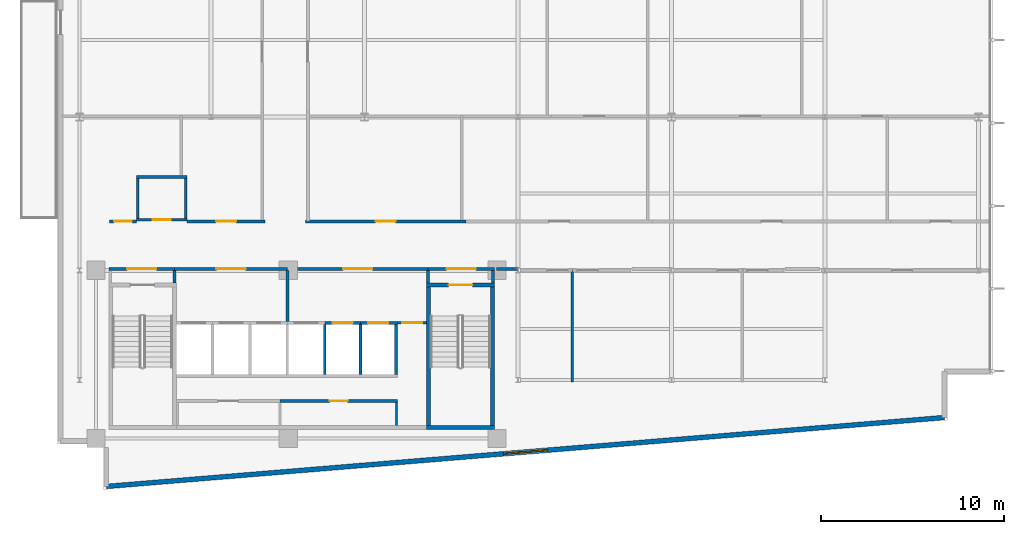
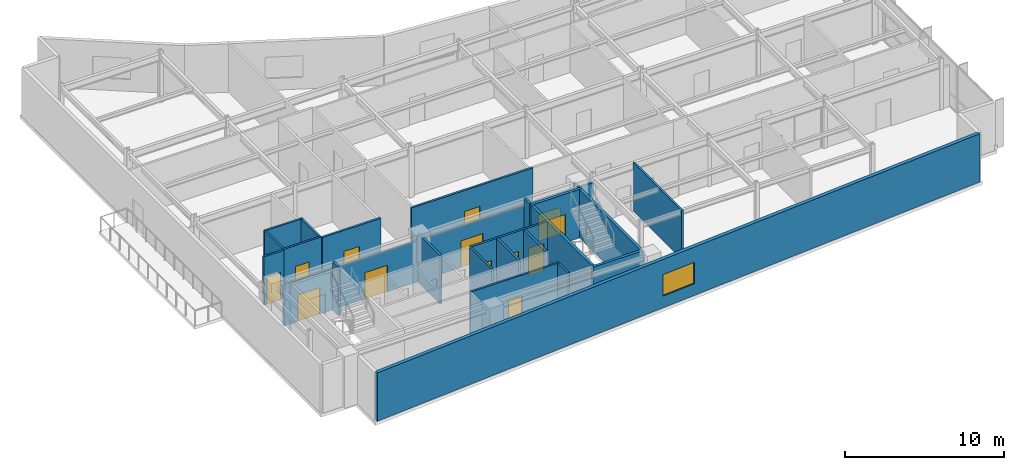
# One storey, part 10 of 15: 30 walls, 13 doors, 1 window, 14 openings.
"""IFC4 building model written with IfcOpenShell, lengths in metres."""

from ifc_helpers import new_model, si_unit, direction, frame, frame_2d, origin, place, context, subcontext, project, spatial, rectangle, extrude, material, layer, layer_set, type_object, element, fill, save


model = new_model("IFC4")

# Units and contexts
model_context = context("Model", 3, precision=1e-05, world=origin(), true_north=direction((0.0, 1.0)))
body_context = subcontext(model_context, "Body", "Model", "MODEL_VIEW")
ifc_project = project(units=[si_unit("LENGTHUNIT", "METRE"), si_unit("AREAUNIT", "SQUARE_METRE"), si_unit("VOLUMEUNIT", "CUBIC_METRE"), si_unit("PLANEANGLEUNIT", "RADIAN"), si_unit("MASSUNIT", "GRAM", prefix="KILO")], contexts=[model_context])

# Site, building, storey
site_placement = place(None, origin())
site = spatial("IfcSite", under=ifc_project, at=site_placement, CompositionType="ELEMENT")
building_placement = place(site_placement, origin())
building = spatial("IfcBuilding", under=site, at=building_placement, Name="Varnakote Quay Hospital", CompositionType="ELEMENT")
storey_placement = place(building_placement, frame((0.0, 0.0, 207.89990234375)))
storey = spatial("IfcBuildingStorey", under=building, at=storey_placement, Name="L51", CompositionType="ELEMENT", Elevation=207.89990234375)

# Wall, opening, door
ifc_material_1 = material(Name="Fire-rated acoustic gypsum stud wall", Category="gypsum")
ifc_layer_1 = layer(ifc_material_1, 0.159912109375)
ifc_layer_set_1 = layer_set([ifc_layer_1], Name="Fire-rated acoustic gypsum stud wall")
wall_type_1 = type_object("IfcWallType", Name="WL-COMP-160", PredefinedType="PARTITIONING", material=ifc_layer_set_1)
wall_1_placement = place(storey_placement, frame((2.800048828125, 12.080078125, 0.0), z_axis=(0.0, 0.0, 1.0), x_axis=(1.0, 0.0, 0.0)))
wall_1 = element("IfcWall", 1, at=wall_1_placement, inside=storey, type_object=wall_type_1, Name="L51 West Stair Vestibule Smoke Wall", PredefinedType="PARTITIONING", context=body_context, shape_type="SweptSolid", body=[
    extrude(rectangle(XDim=3.599853515625, YDim=0.159912109375, at=frame_2d((1.7998046875, 0.0))), origin(), (0.0, 0.0, 1.0), 3.152099609375),
])
opening_1_placement = place(wall_1_placement, frame((1.0, 0.0, 0.0)))
opening_1 = element("IfcOpeningElement", 2, at=opening_1_placement, cuts=wall_1, Name="Opening D-ST1L-L51", PredefinedType="OPENING", context=body_context, shape_type="SweptSolid", body=[
    extrude(rectangle(XDim=1.60009765625, YDim=2.050048828125, at=frame_2d((0.800048828125, 1.02490234375))), frame((0.0, 0.08984375, 0.0), z_axis=(0.0, -1.0, 0.0), x_axis=(1.0, 0.0, 0.0)), (0.0, 0.0, 1.0), 0.179931640625),
])
ifc_material_2 = material(Name="Fire-rated double smoke lobby door")
door_type_1 = type_object("IfcDoorType", Name="DR-LOBBY-FD60S-1600x2150", OperationType="NOTDEFINED", PredefinedType="DOOR", material=ifc_material_2)
door_1_placement = place(opening_1_placement, origin())
door_1 = element("IfcDoor", 3, at=door_1_placement, inside=storey, type_object=door_type_1, Name="L51 West Stair Vestibule Smoke Door", OperationType="DOUBLE_DOOR_SINGLE_SWING", OverallHeight=2.050048828125, OverallWidth=1.60009765625, PredefinedType="DOOR", context=body_context, shape_type="SweptSolid", body=[
    extrude(rectangle(XDim=1.60009765625, YDim=2.050048828125, at=frame_2d((0.800048828125, 1.02490234375))), frame((0.0, 0.02490234375, 0.0), z_axis=(0.0, -1.0, 0.0), x_axis=(1.0, 0.0, 0.0)), (0.0, 0.0, 1.0), 0.050048828125),
])
fill(opening_1, door_1)

# Wall
wall_2_placement = place(storey_placement, frame((6.39990234375, 11.300048828125, 0.0), z_axis=(0.0, 0.0, 1.0), x_axis=(0.0, 1.0, 0.0)))
element("IfcWall", 4, at=wall_2_placement, inside=storey, type_object=wall_type_1, Name="L51 Firefighting Lobby West Wall", PredefinedType="PARTITIONING", context=body_context, shape_type="SweptSolid", body=[
    extrude(rectangle(XDim=0.699951171875, YDim=0.159912109375, at=frame_2d((0.35009765625, 0.0))), origin(), (0.0, 0.0, 1.0), 3.710205078125),
])

# Wall, opening, door
wall_3_placement = place(storey_placement, frame((6.39990234375, 12.080078125, 0.0), z_axis=(0.0, 0.0, 1.0), x_axis=(1.0, 0.0, 0.0)))
wall_3 = element("IfcWall", 5, at=wall_3_placement, inside=storey, type_object=wall_type_1, Name="L51 Firefighting Lift Lobby Compartment Wall", PredefinedType="PARTITIONING", context=body_context, shape_type="SweptSolid", body=[
    extrude(rectangle(XDim=6.18017578125, YDim=0.159912109375, at=frame_2d((3.090087890625, 0.0))), origin(), (0.0, 0.0, 1.0), 3.152099609375),
])
opening_2_placement = place(wall_3_placement, frame((2.2900390625, 0.0, 0.0)))
opening_2 = element("IfcOpeningElement", 6, at=opening_2_placement, cuts=wall_3, Name="Opening D-FFL-L51", PredefinedType="OPENING", context=body_context, shape_type="SweptSolid", body=[
    extrude(rectangle(XDim=1.60009765625, YDim=2.050048828125, at=frame_2d((0.800048828125, 1.02490234375))), frame((0.0, 0.08984375, 0.0), z_axis=(0.0, -1.0, 0.0), x_axis=(1.0, 0.0, 0.0)), (0.0, 0.0, 1.0), 0.179931640625),
])
door_2_placement = place(opening_2_placement, origin())
door_2 = element("IfcDoor", 7, at=door_2_placement, inside=storey, type_object=door_type_1, Name="L51 Firefighting Smoke Vestibule Door", OperationType="DOUBLE_DOOR_SINGLE_SWING", OverallHeight=2.050048828125, OverallWidth=1.60009765625, PredefinedType="DOOR", context=body_context, shape_type="SweptSolid", body=[
    extrude(rectangle(XDim=1.60009765625, YDim=2.050048828125, at=frame_2d((0.800048828125, 1.02490234375))), frame((0.0, 0.02490234375, 0.0), z_axis=(0.0, -1.0, 0.0), x_axis=(1.0, 0.0, 0.0)), (0.0, 0.0, 1.0), 0.050048828125),
])
fill(opening_2, door_2)

# Wall
wall_4_placement = place(storey_placement, frame((12.580078125, 9.2099609375, 0.0), z_axis=(0.0, 0.0, 1.0), x_axis=(0.0, 1.0, 0.0)))
element("IfcWall", 8, at=wall_4_placement, inside=storey, type_object=wall_type_1, Name="L51 Firefighting to Service Lobby Wall", PredefinedType="PARTITIONING", context=body_context, shape_type="SweptSolid", body=[
    extrude(rectangle(XDim=2.7900390625, YDim=0.159912109375, at=frame_2d((1.39501953125, 0.0))), origin(), (0.0, 0.0, 1.0), 3.710205078125),
])

# Wall, opening, door
wall_5_placement = place(storey_placement, frame((12.580078125, 12.080078125, 0.0), z_axis=(0.0, 0.0, 1.0), x_axis=(1.0, 0.0, 0.0)))
wall_5 = element("IfcWall", 9, at=wall_5_placement, inside=storey, type_object=wall_type_1, Name="L51 Clinical Bed Lift Lobby Wall", PredefinedType="PARTITIONING", context=body_context, shape_type="SweptSolid", body=[
    extrude(rectangle(XDim=7.699951171875, YDim=0.159912109375, at=frame_2d((3.85009765625, 0.0))), origin(), (0.0, 0.0, 1.0), 3.152099609375),
])
opening_3_placement = place(wall_5_placement, frame((3.050048828125, 0.0, 0.0)))
opening_3 = element("IfcOpeningElement", 10, at=opening_3_placement, cuts=wall_5, Name="Opening D-SVL-L51", PredefinedType="OPENING", context=body_context, shape_type="SweptSolid", body=[
    extrude(rectangle(XDim=1.60009765625, YDim=2.050048828125, at=frame_2d((0.800048828125, 1.02490234375))), frame((0.0, 0.08984375, 0.0), z_axis=(0.0, -1.0, 0.0), x_axis=(1.0, 0.0, 0.0)), (0.0, 0.0, 1.0), 0.179931640625),
])
door_3_placement = place(opening_3_placement, origin())
door_3 = element("IfcDoor", 11, at=door_3_placement, inside=storey, type_object=door_type_1, Name="L51 Clinical Core Smoke Vestibule Door", OperationType="DOUBLE_DOOR_SINGLE_SWING", OverallHeight=2.050048828125, OverallWidth=1.60009765625, PredefinedType="DOOR", context=body_context, shape_type="SweptSolid", body=[
    extrude(rectangle(XDim=1.60009765625, YDim=2.050048828125, at=frame_2d((0.800048828125, 1.02490234375))), frame((0.0, 0.02490234375, 0.0), z_axis=(0.0, -1.0, 0.0), x_axis=(1.0, 0.0, 0.0)), (0.0, 0.0, 1.0), 0.050048828125),
])
fill(opening_3, door_3)

# Wall
wall_6_placement = place(storey_placement, frame((20.280029296875, 11.300048828125, 0.0), z_axis=(0.0, 0.0, 1.0), x_axis=(0.0, 1.0, 0.0)))
element("IfcWall", 12, at=wall_6_placement, inside=storey, type_object=wall_type_1, Name="L51 East Stair Vestibule Divider Wall", PredefinedType="PARTITIONING", context=body_context, shape_type="SweptSolid", body=[
    extrude(rectangle(XDim=0.699951171875, YDim=0.159912109375, at=frame_2d((0.35009765625, 0.0))), origin(), (0.0, 0.0, 1.0), 3.710205078125),
])

# Wall, opening, door
wall_7_placement = place(storey_placement, frame((20.280029296875, 12.080078125, 0.0), z_axis=(0.0, 0.0, 1.0), x_axis=(1.0, 0.0, 0.0)))
wall_7 = element("IfcWall", 13, at=wall_7_placement, inside=storey, type_object=wall_type_1, Name="L51 East Stair Vestibule Smoke Wall", PredefinedType="PARTITIONING", context=body_context, shape_type="SweptSolid", body=[
    extrude(rectangle(XDim=3.619873046875, YDim=0.159912109375, at=frame_2d((1.81005859375, 0.0))), origin(), (0.0, 0.0, 1.0), 3.152099609375),
])
opening_4_placement = place(wall_7_placement, frame((1.010009765625, 0.0, 0.0)))
opening_4 = element("IfcOpeningElement", 14, at=opening_4_placement, cuts=wall_7, Name="Opening D-ST2L-L51", PredefinedType="OPENING", context=body_context, shape_type="SweptSolid", body=[
    extrude(rectangle(XDim=1.60009765625, YDim=2.050048828125, at=frame_2d((0.800048828125, 1.02490234375))), frame((0.0, 0.08984375, 0.0), z_axis=(0.0, -1.0, 0.0), x_axis=(1.0, 0.0, 0.0)), (0.0, 0.0, 1.0), 0.179931640625),
])
door_4_placement = place(opening_4_placement, origin())
door_4 = element("IfcDoor", 15, at=door_4_placement, inside=storey, type_object=door_type_1, Name="L51 East Stair Vestibule Smoke Door", OperationType="DOUBLE_DOOR_SINGLE_SWING", OverallHeight=2.050048828125, OverallWidth=1.60009765625, PredefinedType="DOOR", context=body_context, shape_type="SweptSolid", body=[
    extrude(rectangle(XDim=1.60009765625, YDim=2.050048828125, at=frame_2d((0.800048828125, 1.02490234375))), frame((0.0, 0.02490234375, 0.0), z_axis=(0.0, -1.0, 0.0), x_axis=(1.0, 0.0, 0.0)), (0.0, 0.0, 1.0), 0.050048828125),
])
fill(opening_4, door_4)

# Walls
wall_8_placement = place(storey_placement, frame((23.820068359375, 11.300048828125, 0.0), z_axis=(0.0, 0.0, 1.0), x_axis=(0.0, 1.0, 0.0)))
element("IfcWall", 16, at=wall_8_placement, inside=storey, type_object=wall_type_1, Name="L51 East Stair Vestibule East Wall", PredefinedType="PARTITIONING", context=body_context, shape_type="SweptSolid", body=[
    extrude(rectangle(XDim=0.699951171875, YDim=0.159912109375, at=frame_2d((0.35009765625, 0.0))), origin(), (0.0, 0.0, 1.0), 3.710205078125),
])
wall_9_placement = place(storey_placement, frame((24.02001953125, 12.080078125, 0.0), z_axis=(0.0, 0.0, 1.0), x_axis=(1.0, 0.0, 0.0)))
element("IfcWall", 17, at=wall_9_placement, inside=storey, type_object=wall_type_1, Name="L51 Corridor South Gap Wall", PredefinedType="PARTITIONING", context=body_context, shape_type="SweptSolid", body=[
    extrude(rectangle(XDim=1.21875, YDim=0.159912109375, at=frame_2d((0.609375, 0.0))), origin(), (0.0, 0.0, 1.0), 3.152099609375),
])

# Wall, opening, window
ifc_material_3 = material(Name="Precast concrete N50 (f'c 50 MPa)", Category="concrete")
ifc_layer_2 = layer(ifc_material_3, 0.260009765625)
ifc_layer_set_2 = layer_set([ifc_layer_2], Name="Precast concrete N50 (f'c 50 MPa)")
wall_type_2 = type_object("IfcWallType", Name="WL-EXT-BRICK-260", PredefinedType="STANDARD", material=ifc_layer_set_2)
wall_10_placement = place(storey_placement, frame((2.659912109375, 0.173583984375, 0.0), z_axis=(0.0, 0.0, 1.0), x_axis=(0.996634028439, 0.081979347142, 0.0)))
wall_10 = element("IfcWall", 18, at=wall_10_placement, inside=storey, type_object=wall_type_2, Name="L51 Brick-Faced Precast Exterior Wall", PredefinedType="STANDARD", context=body_context, shape_type="SweptSolid", body=[
    extrude(rectangle(XDim=46.03515625, YDim=0.260009765625, at=frame_2d((23.017578125, 0.0))), origin(), (0.0, 0.0, 1.0), 3.710205078125),
])
opening_5_placement = place(wall_10_placement, frame((21.8173828125, 0.0, 0.89990234375)))
opening_5 = element("IfcOpeningElement", 19, at=opening_5_placement, cuts=wall_10, Name="Opening WN-0210", PredefinedType="OPENING", context=body_context, shape_type="SweptSolid", body=[
    extrude(rectangle(XDim=2.39990234375, YDim=1.64990234375, at=frame_2d((1.199951171875, 0.824951171875))), frame((0.0, 0.139892578125, 0.0), z_axis=(0.0, -1.0, 0.0), x_axis=(1.0, 0.0, 0.0)), (0.0, 0.0, 1.0), 0.280029296875),
])
ifc_material_4 = material(Name="Double-glazed low-E solar glass", Category="glass")
window_type = type_object("IfcWindowType", Name="WIN-CLIN-2400x1650", PartitioningType="SINGLE_PANEL", PredefinedType="WINDOW", material=ifc_material_4)
window_placement = place(opening_5_placement, origin())
window = element("IfcWindow", 20, at=window_placement, inside=storey, type_object=window_type, Name="L51 Solar-Control Clinical Window", OverallHeight=1.64990234375, OverallWidth=2.39990234375, PartitioningType="SINGLE_PANEL", PredefinedType="WINDOW", context=body_context, shape_type="SweptSolid", body=[
    extrude(rectangle(XDim=2.39990234375, YDim=1.64990234375, at=frame_2d((1.199951171875, 0.824951171875))), frame((0.0, 0.030029296875, 0.0), z_axis=(0.0, -1.0, 0.0), x_axis=(1.0, 0.0, 0.0)), (0.0, 0.0, 1.0), 0.06005859375),
])
fill(opening_5, window)

# Walls
ifc_material_5 = material(Name="Concrete N50 (f'c 50 MPa)", Category="concrete")
ifc_layer_3 = layer(ifc_material_5, 0.14990234375)
ifc_layer_set_3 = layer_set([ifc_layer_3], Name="Concrete N50 (f'c 50 MPa)")
wall_type_3 = type_object("IfcWallType", Name="WL-SHAFT-N50-150", PredefinedType="SHEAR", material=ifc_layer_set_3)
for number, where, z_axis, x_axis, name in (
    (21, (14.625, 6.300048828125, 0.0), (0.0, 0.0, 1.0), (0.0, 1.0, 0.0), "L51 LF-SV2 Hoistway Divider Wall"),
    (22, (16.574951171875, 6.300048828125, 0.0), (0.0, 0.0, 1.0), (0.0, 1.0, 0.0), "L51 LF-PH1 Hoistway Divider Wall"),
):
    element("IfcWall", number, at=place(storey_placement, frame(where, z_axis=z_axis, x_axis=x_axis)), inside=storey, type_object=wall_type_3, Name=name, PredefinedType="SHEAR", context=body_context, shape_type="SweptSolid", body=[
        extrude(rectangle(XDim=2.75, YDim=0.14990234375, at=frame_2d((1.375, 0.0))), origin(), (0.0, 0.0, 1.0), 3.710205078125),
    ])
ifc_material_6 = material(Name="Concrete N50 (f'c 50 MPa)", Category="concrete")
ifc_layer_4 = layer(ifc_material_6, 0.159912109375)
ifc_layer_set_4 = layer_set([ifc_layer_4], Name="Concrete N50 (f'c 50 MPa)")
wall_type_4 = type_object("IfcWallType", Name="WL-SHAFT-N50-160", PredefinedType="SHEAR", material=ifc_layer_set_4)
wall_11_placement = place(storey_placement, frame((18.530029296875, 6.300048828125, 0.0), z_axis=(0.0, 0.0, 1.0), x_axis=(0.0, 1.0, 0.0)))
element("IfcWall", 23, at=wall_11_placement, inside=storey, type_object=wall_type_4, Name="L51 REAR Lift Bank East Shear Wall", PredefinedType="SHEAR", context=body_context, shape_type="SweptSolid", body=[
    extrude(rectangle(XDim=2.75, YDim=0.159912109375, at=frame_2d((1.375, 0.0))), origin(), (0.0, 0.0, 1.0), 3.710205078125),
])

# Wall, opening, door
wall_12_placement = place(storey_placement, frame((14.625, 9.1298828125, 0.0), z_axis=(0.0, 0.0, 1.0), x_axis=(1.0, 0.0, 0.0)))
wall_12 = element("IfcWall", 24, at=wall_12_placement, inside=storey, type_object=wall_type_4, Name="L51 LF-PH1 Hoistway Front Wall", PredefinedType="SHEAR", context=body_context, shape_type="SweptSolid", body=[
    extrude(rectangle(XDim=1.949951171875, YDim=0.159912109375, at=frame_2d((0.97509765625, 0.0))), origin(), (0.0, 0.0, 1.0), 3.710205078125),
])
opening_6_placement = place(wall_12_placement, frame((0.425048828125, 0.0, 0.0)))
opening_6 = element("IfcOpeningElement", 25, at=opening_6_placement, cuts=wall_12, Name="Opening LD-PH1-L51", PredefinedType="OPENING", context=body_context, shape_type="SweptSolid", body=[
    extrude(rectangle(XDim=1.10009765625, YDim=2.14990234375, at=frame_2d((0.550048828125, 1.074951171875))), frame((0.0, 0.08984375, 0.0), z_axis=(0.0, -1.0, 0.0), x_axis=(1.0, 0.0, 0.0)), (0.0, 0.0, 1.0), 0.179931640625),
])
ifc_material_7 = material(Name="Brushed bronze lift landing sliding door")
door_type_2 = type_object("IfcDoorType", Name="DR-LIFT-LD-1100x2150", OperationType="NOTDEFINED", PredefinedType="DOOR", material=ifc_material_7)
door_5_placement = place(opening_6_placement, origin())
door_5 = element("IfcDoor", 26, at=door_5_placement, inside=storey, type_object=door_type_2, Name="L51 LF-PH1 Lift Landing Sliding Door", OperationType="SLIDING_TO_LEFT", OverallHeight=2.14990234375, OverallWidth=1.10009765625, PredefinedType="DOOR", context=body_context, shape_type="SweptSolid", body=[
    extrude(rectangle(XDim=1.10009765625, YDim=2.14990234375, at=frame_2d((0.550048828125, 1.074951171875))), frame((0.0, 0.02490234375, 0.0), z_axis=(0.0, -1.0, 0.0), x_axis=(1.0, 0.0, 0.0)), (0.0, 0.0, 1.0), 0.050048828125),
])
fill(opening_6, door_5)

wall_13_placement = place(storey_placement, frame((16.574951171875, 9.1298828125, 0.0), z_axis=(0.0, 0.0, 1.0), x_axis=(1.0, 0.0, 0.0)))
wall_13 = element("IfcWall", 27, at=wall_13_placement, inside=storey, type_object=wall_type_4, Name="L51 LF-PH2 Hoistway Front Wall", PredefinedType="SHEAR", context=body_context, shape_type="SweptSolid", body=[
    extrude(rectangle(XDim=2.03515625, YDim=0.159912109375, at=frame_2d((1.017578125, 0.0))), origin(), (0.0, 0.0, 1.0), 3.710205078125),
])
opening_7_placement = place(wall_13_placement, frame((0.425048828125, 0.0, 0.0)))
opening_7 = element("IfcOpeningElement", 28, at=opening_7_placement, cuts=wall_13, Name="Opening LD-PH2-L51", PredefinedType="OPENING", context=body_context, shape_type="SweptSolid", body=[
    extrude(rectangle(XDim=1.10009765625, YDim=2.14990234375, at=frame_2d((0.550048828125, 1.074951171875))), frame((0.0, 0.08984375, 0.0), z_axis=(0.0, -1.0, 0.0), x_axis=(1.0, 0.0, 0.0)), (0.0, 0.0, 1.0), 0.179931640625),
])
door_6_placement = place(opening_7_placement, origin())
door_6 = element("IfcDoor", 29, at=door_6_placement, inside=storey, type_object=door_type_2, Name="L51 LF-PH2 Lift Landing Sliding Door", OperationType="SLIDING_TO_LEFT", OverallHeight=2.14990234375, OverallWidth=1.10009765625, PredefinedType="DOOR", context=body_context, shape_type="SweptSolid", body=[
    extrude(rectangle(XDim=1.10009765625, YDim=2.14990234375, at=frame_2d((0.550048828125, 1.074951171875))), frame((0.0, 0.02490234375, 0.0), z_axis=(0.0, -1.0, 0.0), x_axis=(1.0, 0.0, 0.0)), (0.0, 0.0, 1.0), 0.050048828125),
])
fill(opening_7, door_6)

# Walls
ifc_material_8 = material(Name="Concrete N50 (f'c 50 MPa)", Category="concrete")
ifc_layer_5 = layer(ifc_material_8, 0.199951171875)
ifc_layer_set_5 = layer_set([ifc_layer_5], Name="Concrete N50 (f'c 50 MPa)")
wall_type_5 = type_object("IfcWallType", Name="WL-SHAFT-N50-200", PredefinedType="SHEAR", material=ifc_layer_set_5)
wall_14_placement = place(storey_placement, frame((20.199951171875, 3.39990234375, 0.0), z_axis=(0.0, 0.0, 1.0), x_axis=(1.0, 0.0, 0.0)))
element("IfcWall", 30, at=wall_14_placement, inside=storey, type_object=wall_type_5, Name="L51 Stair ST2 South Shaft Wall", PredefinedType="SHEAR", context=body_context, shape_type="SweptSolid", body=[
    extrude(rectangle(XDim=3.699951171875, YDim=0.199951171875, at=frame_2d((1.85009765625, 0.0))), origin(), (0.0, 0.0, 1.0), 3.710205078125),
])
for number, where, z_axis, x_axis, name in (
    (31, (20.300048828125, 3.5, 0.0), (0.0, 0.0, 1.0), (0.0, 1.0, 0.0), "L51 Stair ST2 West Shaft Wall"),
    (32, (23.800048828125, 3.5, 0.0), (0.0, 0.0, 1.0), (0.0, 1.0, 0.0), "L51 Stair ST2 East Shaft Wall"),
):
    element("IfcWall", number, at=place(storey_placement, frame(where, z_axis=z_axis, x_axis=x_axis)), inside=storey, type_object=wall_type_5, Name=name, PredefinedType="SHEAR", context=body_context, shape_type="SweptSolid", body=[
        extrude(rectangle(XDim=7.60009765625, YDim=0.199951171875, at=frame_2d((3.800048828125, 0.0))), origin(), (0.0, 0.0, 1.0), 3.710205078125),
    ])

# Wall, opening, door
wall_15_placement = place(storey_placement, frame((20.199951171875, 11.199951171875, 0.0), z_axis=(0.0, 0.0, 1.0), x_axis=(1.0, 0.0, 0.0)))
wall_15 = element("IfcWall", 33, at=wall_15_placement, inside=storey, type_object=wall_type_5, Name="L51 Stair ST2 Exit Wall", PredefinedType="SHEAR", context=body_context, shape_type="SweptSolid", body=[
    extrude(rectangle(XDim=3.699951171875, YDim=0.199951171875, at=frame_2d((1.85009765625, 0.0))), origin(), (0.0, 0.0, 1.0), 3.710205078125),
])
opening_8_placement = place(wall_15_placement, frame((1.199951171875, 0.0, 0.0)))
opening_8 = element("IfcOpeningElement", 34, at=opening_8_placement, cuts=wall_15, Name="Opening D-ST2-L51", PredefinedType="OPENING", context=body_context, shape_type="SweptSolid", body=[
    extrude(rectangle(XDim=1.300048828125, YDim=2.14990234375, at=frame_2d((0.64990234375, 1.074951171875))), frame((0.0, 0.10986328125, 0.0), z_axis=(0.0, -1.0, 0.0), x_axis=(1.0, 0.0, 0.0)), (0.0, 0.0, 1.0), 0.219970703125),
])
ifc_material_9 = material(Name="Fire-rated ceramic-glazed timber exit door", Category="wood")
door_type_3 = type_object("IfcDoorType", Name="DR-STAIR-FD60S-1300x2150", OperationType="NOTDEFINED", PredefinedType="DOOR", material=ifc_material_9)
door_7_placement = place(opening_8_placement, origin())
door_7 = element("IfcDoor", 35, at=door_7_placement, inside=storey, type_object=door_type_3, Name="L51 Stair ST2 Fire Exit Door", OperationType="SINGLE_SWING_LEFT", OverallHeight=2.14990234375, OverallWidth=1.300048828125, PredefinedType="DOOR", context=body_context, shape_type="SweptSolid", body=[
    extrude(rectangle(XDim=1.300048828125, YDim=2.14990234375, at=frame_2d((0.64990234375, 1.074951171875))), frame((0.0, 0.02490234375, 0.0), z_axis=(0.0, -1.0, 0.0), x_axis=(1.0, 0.0, 0.0)), (0.0, 0.0, 1.0), 0.050048828125),
])
fill(opening_8, door_7)

# Walls
ifc_material_10 = material(Name="Smoke-proof clinical partition", Category="gypsum")
ifc_layer_6 = layer(ifc_material_10, 0.1201171875)
ifc_layer_set_6 = layer_set([ifc_layer_6], Name="Smoke-proof clinical partition")
wall_type_6 = type_object("IfcWallType", Name="WL-SMOKE-120", PredefinedType="PARTITIONING", material=ifc_layer_set_6)
wall_16_placement = place(storey_placement, frame((18.5400390625, 3.52001953125, 0.0), z_axis=(0.0, 0.0, 1.0), x_axis=(0.0, 1.0, 0.0)))
element("IfcWall", 36, at=wall_16_placement, inside=storey, type_object=wall_type_6, Name="L51 Core South Service East Wall", PredefinedType="PARTITIONING", context=body_context, shape_type="SweptSolid", body=[
    extrude(rectangle(XDim=1.260009765625, YDim=0.1201171875, at=frame_2d((0.6298828125, 0.0))), origin(), (0.0, 0.0, 1.0), 3.710205078125),
])
ifc_material_11 = material(Name="Smoke-proof clinical partition", Category="gypsum")
ifc_layer_7 = layer(ifc_material_11, 0.135009765625)
ifc_layer_set_7 = layer_set([ifc_layer_7], Name="Smoke-proof clinical partition")
wall_type_7 = type_object("IfcWallType", Name="WL-SMOKE-135", PredefinedType="PARTITIONING", material=ifc_layer_set_7)
wall_17_placement = place(storey_placement, frame((28.159912109375, 5.89990234375, 0.0), z_axis=(0.0, 0.0, 1.0), x_axis=(0.0, 1.0, 0.0)))
element("IfcWall", 37, at=wall_17_placement, inside=storey, type_object=wall_type_7, Name="L51 Clinical Interior Partition", PredefinedType="PARTITIONING", context=body_context, shape_type="SweptSolid", body=[
    extrude(rectangle(XDim=6.10009765625, YDim=0.135009765625, at=frame_2d((3.050048828125, 0.0))), origin(), (0.0, 0.0, 1.0), 3.710205078125),
])

# Wall, opening, door
ifc_material_12 = material(Name="Fire-rated clinical gypsum partition", Category="gypsum")
ifc_layer_8 = layer(ifc_material_12, 0.139892578125)
ifc_layer_set_8 = layer_set([ifc_layer_8], Name="Fire-rated clinical gypsum partition")
wall_type_8 = type_object("IfcWallType", Name="WL-WARD-140", PredefinedType="PARTITIONING", material=ifc_layer_set_8)
wall_18_placement = place(storey_placement, frame((12.169921875, 4.85009765625, 0.0), z_axis=(0.0, 0.0, 1.0), x_axis=(1.0, 0.0, 0.0)))
wall_18 = element("IfcWall", 38, at=wall_18_placement, inside=storey, type_object=wall_type_8, Name="L51 Core Staff Sanitary WC North Wall", PredefinedType="PARTITIONING", context=body_context, shape_type="SweptSolid", body=[
    extrude(rectangle(XDim=6.43017578125, YDim=0.139892578125, at=frame_2d((3.215087890625, 0.0))), origin(), (0.0, 0.0, 1.0), 3.710205078125),
])
opening_9_placement = place(wall_18_placement, frame((2.72509765625, 0.0, 0.0)))
opening_9 = element("IfcOpeningElement", 39, at=opening_9_placement, cuts=wall_18, Name="Opening D-L51-CR02", PredefinedType="OPENING", context=body_context, shape_type="SweptSolid", body=[
    extrude(rectangle(XDim=0.97998046875, YDim=2.10009765625, at=frame_2d((0.489990234375, 1.050048828125))), frame((0.0, 0.079833984375, 0.0), z_axis=(0.0, -1.0, 0.0), x_axis=(1.0, 0.0, 0.0)), (0.0, 0.0, 1.0), 0.159912109375),
])
ifc_material_13 = material(Name="Accessible sanitary compartment door")
door_type_4 = type_object("IfcDoorType", Name="DR-WC-980x2100", OperationType="NOTDEFINED", PredefinedType="DOOR", material=ifc_material_13)
door_8_placement = place(opening_9_placement, origin())
door_8 = element("IfcDoor", 40, at=door_8_placement, inside=storey, type_object=door_type_4, Name="L51 Core Staff Sanitary WC Door", OperationType="SINGLE_SWING_LEFT", OverallHeight=2.10009765625, OverallWidth=0.97998046875, PredefinedType="DOOR", context=body_context, shape_type="SweptSolid", body=[
    extrude(rectangle(XDim=0.97998046875, YDim=2.10009765625, at=frame_2d((0.489990234375, 1.050048828125))), frame((0.0, 0.02490234375, 0.0), z_axis=(0.0, -1.0, 0.0), x_axis=(1.0, 0.0, 0.0)), (0.0, 0.0, 1.0), 0.050048828125),
])
fill(opening_9, door_8)

wall_19_placement = place(storey_placement, frame((18.610107421875, 9.1298828125, 0.0), z_axis=(0.0, 0.0, 1.0), x_axis=(1.0, 0.0, 0.0)))
wall_19 = element("IfcWall", 41, at=wall_19_placement, inside=storey, type_object=wall_type_8, Name="L51 Core Service Corridor North Door Wall", PredefinedType="PARTITIONING", context=body_context, shape_type="SweptSolid", body=[
    extrude(rectangle(XDim=1.58984375, YDim=0.139892578125, at=frame_2d((0.794921875, 0.0))), origin(), (0.0, 0.0, 1.0), 3.710205078125),
])
opening_10_placement = place(wall_19_placement, frame((0.239990234375, 0.0, 0.0)))
opening_10 = element("IfcOpeningElement", 42, at=opening_10_placement, cuts=wall_19, Name="Opening D-CSRV-L51", PredefinedType="OPENING", context=body_context, shape_type="SweptSolid", body=[
    extrude(rectangle(XDim=1.10009765625, YDim=2.10009765625, at=frame_2d((0.550048828125, 1.050048828125))), frame((0.0, 0.079833984375, 0.0), z_axis=(0.0, -1.0, 0.0), x_axis=(1.0, 0.0, 0.0)), (0.0, 0.0, 1.0), 0.159912109375),
])
ifc_material_14 = material(Name="Acoustic timber clinical consult door", Category="wood")
door_type_5 = type_object("IfcDoorType", Name="DR-CLIN-FD30S-1100x2100", OperationType="NOTDEFINED", PredefinedType="DOOR", material=ifc_material_14)
door_9_placement = place(opening_10_placement, origin())
door_9 = element("IfcDoor", 43, at=door_9_placement, inside=storey, type_object=door_type_5, Name="L51 Core Service Corridor Door", OperationType="SINGLE_SWING_RIGHT", OverallHeight=2.10009765625, OverallWidth=1.10009765625, PredefinedType="DOOR", context=body_context, shape_type="SweptSolid", body=[
    extrude(rectangle(XDim=1.10009765625, YDim=2.10009765625, at=frame_2d((0.550048828125, 1.050048828125))), frame((0.0, 0.02490234375, 0.0), z_axis=(0.0, -1.0, 0.0), x_axis=(1.0, 0.0, 0.0)), (0.0, 0.0, 1.0), 0.050048828125),
])
fill(opening_10, door_9)

wall_20_placement = place(storey_placement, frame((4.31005859375, 14.77001953125, 0.0), z_axis=(0.0, 0.0, 1.0), x_axis=(1.0, 0.0, 0.0)))
wall_20 = element("IfcWall", 44, at=wall_20_placement, inside=storey, type_object=wall_type_8, Name="L51 Floor Unisex Accessible WC S Wall", PredefinedType="PARTITIONING", context=body_context, shape_type="SweptSolid", body=[
    extrude(rectangle(XDim=2.780029296875, YDim=0.139892578125, at=frame_2d((1.39013671875, 0.0))), origin(), (0.0, 0.0, 1.0), 3.710205078125),
])
opening_11_placement = place(wall_20_placement, frame((0.89990234375, 0.0, 0.0)))
opening_11 = element("IfcOpeningElement", 45, at=opening_11_placement, cuts=wall_20, Name="Opening D-L51-EW01", PredefinedType="OPENING", context=body_context, shape_type="SweptSolid", body=[
    extrude(rectangle(XDim=0.97998046875, YDim=2.10009765625, at=frame_2d((0.489990234375, 1.050048828125))), frame((0.0, 0.079833984375, 0.0), z_axis=(0.0, -1.0, 0.0), x_axis=(1.0, 0.0, 0.0)), (0.0, 0.0, 1.0), 0.159912109375),
])
door_10_placement = place(opening_11_placement, origin())
door_10 = element("IfcDoor", 46, at=door_10_placement, inside=storey, type_object=door_type_4, Name="L51 Floor Unisex Accessible WC Door", OperationType="SINGLE_SWING_LEFT", OverallHeight=2.10009765625, OverallWidth=0.97998046875, PredefinedType="DOOR", context=body_context, shape_type="SweptSolid", body=[
    extrude(rectangle(XDim=0.97998046875, YDim=2.10009765625, at=frame_2d((0.489990234375, 1.050048828125))), frame((0.0, 0.02490234375, 0.0), z_axis=(0.0, -1.0, 0.0), x_axis=(1.0, 0.0, 0.0)), (0.0, 0.0, 1.0), 0.050048828125),
])
fill(opening_11, door_10)

# Walls
wall_21_placement = place(storey_placement, frame((4.31005859375, 17.110107421875, 0.0), z_axis=(0.0, 0.0, 1.0), x_axis=(1.0, 0.0, 0.0)))
element("IfcWall", 47, at=wall_21_placement, inside=storey, type_object=wall_type_8, Name="L51 Floor Unisex Accessible WC N Wall", PredefinedType="PARTITIONING", context=body_context, shape_type="SweptSolid", body=[
    extrude(rectangle(XDim=2.780029296875, YDim=0.139892578125, at=frame_2d((1.39013671875, 0.0))), origin(), (0.0, 0.0, 1.0), 3.710205078125),
])
for number, where, z_axis, x_axis, name in (
    (48, (4.3798828125, 14.840087890625, 0.0), (0.0, 0.0, 1.0), (0.0, 1.0, 0.0), "L51 Floor Unisex Accessible WC W Wall"),
    (49, (7.02001953125, 14.840087890625, 0.0), (0.0, 0.0, 1.0), (0.0, 1.0, 0.0), "L51 Floor Unisex Accessible WC E Wall"),
):
    element("IfcWall", number, at=place(storey_placement, frame(where, z_axis=z_axis, x_axis=x_axis)), inside=storey, type_object=wall_type_8, Name=name, PredefinedType="PARTITIONING", context=body_context, shape_type="SweptSolid", body=[
        extrude(rectangle(XDim=2.199951171875, YDim=0.139892578125, at=frame_2d((1.10009765625, 0.0))), origin(), (0.0, 0.0, 1.0), 3.710205078125),
    ])

# Wall, opening, door
ifc_material_15 = material(Name="Fire-rated clinical gypsum partition", Category="gypsum")
ifc_layer_9 = layer(ifc_material_15, 0.14990234375)
ifc_layer_set_9 = layer_set([ifc_layer_9], Name="Fire-rated clinical gypsum partition")
wall_type_9 = type_object("IfcWallType", Name="WL-WARD-150", PredefinedType="PARTITIONING", material=ifc_layer_set_9)
wall_22_placement = place(storey_placement, frame((4.30810546875, 14.679931640625, 0.0), z_axis=(0.0, 0.0, 1.0), x_axis=(-1.0, 0.0, 0.0)))
wall_22 = element("IfcWall", 50, at=wall_22_placement, inside=storey, type_object=wall_type_9, Name="L51 Clinical Interior Partition", PredefinedType="PARTITIONING", context=body_context, shape_type="SweptSolid", body=[
    extrude(rectangle(XDim=1.4580078125, YDim=0.14990234375, at=frame_2d((0.72900390625, 0.0))), origin(), (0.0, 0.0, 1.0), 3.710205078125),
])
opening_12_placement = place(wall_22_placement, frame((0.239013671875, 0.0, 0.0)))
opening_12 = element("IfcOpeningElement", 51, at=opening_12_placement, cuts=wall_22, Name="Opening D-L51-MD01", PredefinedType="OPENING", context=body_context, shape_type="SweptSolid", body=[
    extrude(rectangle(XDim=0.97998046875, YDim=2.10009765625, at=frame_2d((0.489990234375, 1.050048828125))), frame((0.0, 0.0849609375, 0.0), z_axis=(0.0, -1.0, 0.0), x_axis=(1.0, 0.0, 0.0)), (0.0, 0.0, 1.0), 0.169921875),
])
door_11_placement = place(opening_12_placement, origin())
door_11 = element("IfcDoor", 52, at=door_11_placement, inside=storey, type_object=door_type_4, Name="L51 Day Procedure Treatment Suite Door", OperationType="SINGLE_SWING_LEFT", OverallHeight=2.10009765625, OverallWidth=0.97998046875, PredefinedType="DOOR", context=body_context, shape_type="SweptSolid", body=[
    extrude(rectangle(XDim=0.97998046875, YDim=2.10009765625, at=frame_2d((0.489990234375, 1.050048828125))), frame((0.0, 0.02490234375, 0.0), z_axis=(0.0, -1.0, 0.0), x_axis=(1.0, 0.0, 0.0)), (0.0, 0.0, 1.0), 0.050048828125),
])
fill(opening_12, door_11)

wall_23_placement = place(storey_placement, frame((11.345947265625, 14.679931640625, 0.0), z_axis=(0.0, 0.0, 1.0), x_axis=(-1.0, 0.0, 0.0)))
wall_23 = element("IfcWall", 53, at=wall_23_placement, inside=storey, type_object=wall_type_9, Name="L51 Clinical Interior Partition", PredefinedType="PARTITIONING", context=body_context, shape_type="SweptSolid", body=[
    extrude(rectangle(XDim=4.25390625, YDim=0.14990234375, at=frame_2d((2.126953125, 0.0))), origin(), (0.0, 0.0, 1.0), 3.710205078125),
])
opening_13_placement = place(wall_23_placement, frame((1.576904296875, 0.0, 0.0)))
opening_13 = element("IfcOpeningElement", 54, at=opening_13_placement, cuts=wall_23, Name="Opening D-L51-MD02", PredefinedType="OPENING", context=body_context, shape_type="SweptSolid", body=[
    extrude(rectangle(XDim=1.10009765625, YDim=2.10009765625, at=frame_2d((0.550048828125, 1.050048828125))), frame((0.0, 0.0849609375, 0.0), z_axis=(0.0, -1.0, 0.0), x_axis=(1.0, 0.0, 0.0)), (0.0, 0.0, 1.0), 0.169921875),
])
door_12_placement = place(opening_13_placement, origin())
door_12 = element("IfcDoor", 55, at=door_12_placement, inside=storey, type_object=door_type_5, Name="L51 Oncology Infusion Treatment Suite Door", OperationType="SINGLE_SWING_RIGHT", OverallHeight=2.10009765625, OverallWidth=1.10009765625, PredefinedType="DOOR", context=body_context, shape_type="SweptSolid", body=[
    extrude(rectangle(XDim=1.10009765625, YDim=2.10009765625, at=frame_2d((0.550048828125, 1.050048828125))), frame((0.0, 0.02490234375, 0.0), z_axis=(0.0, -1.0, 0.0), x_axis=(1.0, 0.0, 0.0)), (0.0, 0.0, 1.0), 0.050048828125),
])
fill(opening_13, door_12)

wall_24_placement = place(storey_placement, frame((22.35595703125, 14.679931640625, 0.0), z_axis=(0.0, 0.0, 1.0), x_axis=(-1.0, 0.0, 0.0)))
wall_24 = element("IfcWall", 56, at=wall_24_placement, inside=storey, type_object=wall_type_9, Name="L51 Clinical Interior Partition", PredefinedType="PARTITIONING", context=body_context, shape_type="SweptSolid", body=[
    extrude(rectangle(XDim=8.802001953125, YDim=0.14990234375, at=frame_2d((4.40087890625, 0.0))), origin(), (0.0, 0.0, 1.0), 3.710205078125),
])
opening_14_placement = place(wall_24_placement, frame((3.85107421875, 0.0, 0.0)))
opening_14 = element("IfcOpeningElement", 57, at=opening_14_placement, cuts=wall_24, Name="Opening D-L51-MD03", PredefinedType="OPENING", context=body_context, shape_type="SweptSolid", body=[
    extrude(rectangle(XDim=1.10009765625, YDim=2.10009765625, at=frame_2d((0.550048828125, 1.050048828125))), frame((0.0, 0.0849609375, 0.0), z_axis=(0.0, -1.0, 0.0), x_axis=(1.0, 0.0, 0.0)), (0.0, 0.0, 1.0), 0.169921875),
])
door_13_placement = place(opening_14_placement, origin())
door_13 = element("IfcDoor", 58, at=door_13_placement, inside=storey, type_object=door_type_5, Name="L51 Ward Clean Medication Pantry Door", OperationType="SINGLE_SWING_LEFT", OverallHeight=2.10009765625, OverallWidth=1.10009765625, PredefinedType="DOOR", context=body_context, shape_type="SweptSolid", body=[
    extrude(rectangle(XDim=1.10009765625, YDim=2.10009765625, at=frame_2d((0.550048828125, 1.050048828125))), frame((0.0, 0.02490234375, 0.0), z_axis=(0.0, -1.0, 0.0), x_axis=(1.0, 0.0, 0.0)), (0.0, 0.0, 1.0), 0.050048828125),
])
fill(opening_14, door_13)

save(model, "model.ifc")
